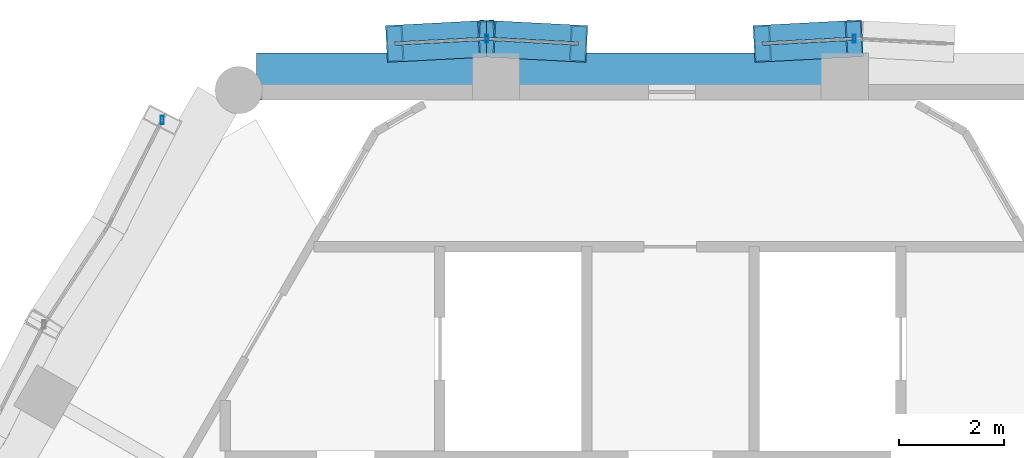
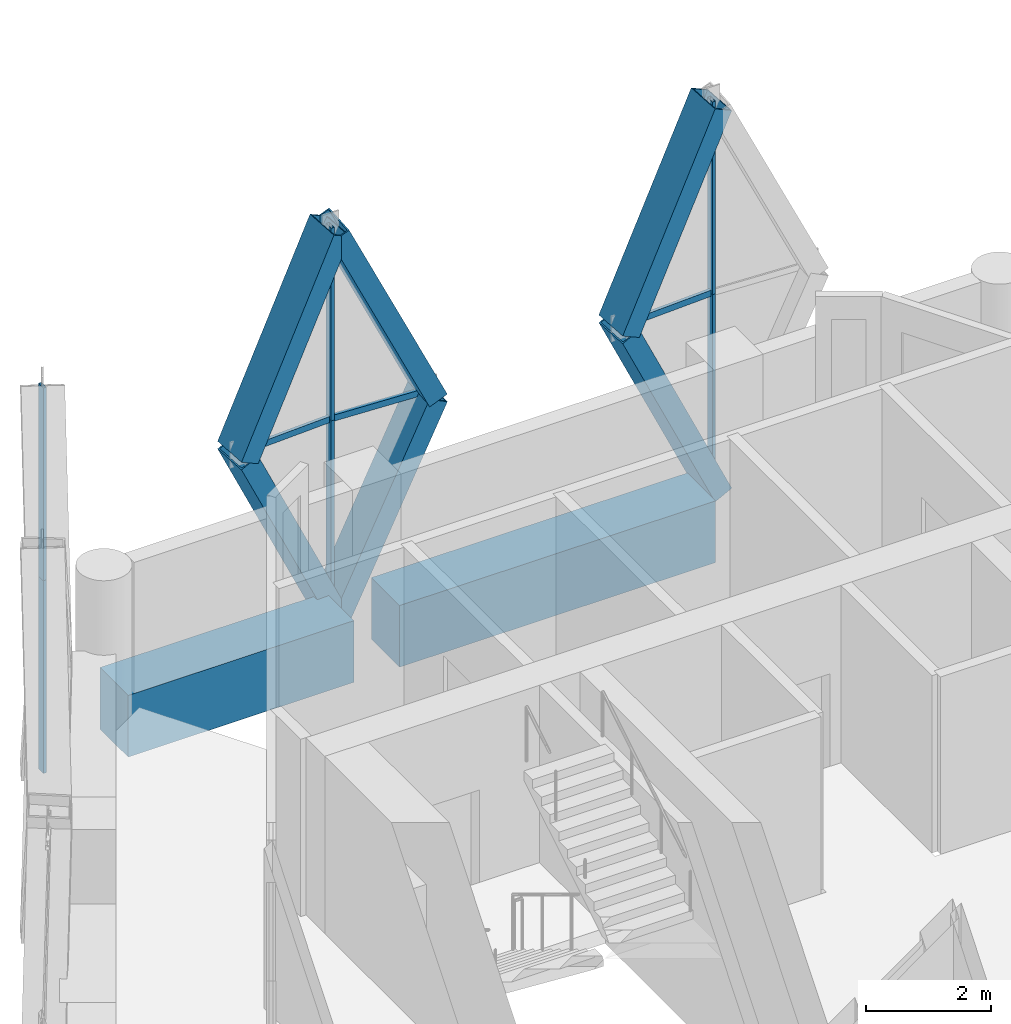
# One storey, part 14 of 27: 15 members, 2 beams, 3 elements without a shape of their own.
"""IFC4 building model written with IfcOpenShell, lengths in metres."""

from ifc_helpers import new_model, si_unit, direction, frame, origin, origin_2d, place, context, subcontext, project, spatial, rectangle, hollow_rectangle, extrude, material, material_profile, profile_set, type_object, element, aggregate, save


model = new_model("IFC4")

# Units and contexts
model_context = context("Model", 3, precision=1e-05, world=origin(), true_north=direction((0.0, 1.0)))
body_context = subcontext(model_context, "Body", "Model", "MODEL_VIEW")
ifc_project = project(units=[si_unit("LENGTHUNIT", "METRE"), si_unit("AREAUNIT", "SQUARE_METRE"), si_unit("VOLUMEUNIT", "CUBIC_METRE"), si_unit("PLANEANGLEUNIT", "RADIAN"), si_unit("MASSUNIT", "GRAM", prefix="KILO")], contexts=[model_context])

# Site, building, storey
site_placement = place(None, origin())
site = spatial("IfcSite", under=ifc_project, at=site_placement, CompositionType="ELEMENT")
building_placement = place(site_placement, origin())
building = spatial("IfcBuilding", under=site, at=building_placement, Name="Ostrander Bayou Hotel Tower", CompositionType="ELEMENT")
storey_placement = place(building_placement, frame((0.0, 0.0, 267.5)))
storey = spatial("IfcBuildingStorey", under=building, at=storey_placement, Name="L66", CompositionType="ELEMENT", Elevation=267.5)

# Curtain wall, members
ifc_material_1 = material(Name="Aluminium and clear glass", Category="aluminium")
curtain_wall_type = type_object("IfcCurtainWallType", Name="CW-LAT lattice glazing", PredefinedType="NOTDEFINED", material=ifc_material_1)
curtain_wall_1_placement = place(storey_placement, origin())
curtain_wall_1 = element("IfcCurtainWall", 1, at=curtain_wall_1_placement, inside=storey, type_object=curtain_wall_type, Name="CW-LAT L66 N 1", PredefinedType="NOTDEFINED")
ifc_material_2 = material(Name="Aluminium", Category="aluminium")
ifc_material_profile_1 = material_profile(ifc_material_2, hollow_rectangle(XDim=0.06005859375, YDim=0.159912109375, WallThickness=0.00390625, at=origin_2d()))
ifc_profile_set_1 = profile_set([ifc_material_profile_1], Name="Aluminium")
member_type_1 = type_object("IfcMemberType", Name="CW-LA mullion 60 x 160 mm", PredefinedType="MULLION", material=ifc_profile_set_1)
member_1_placement = place(storey_placement, frame((3.508544921875, 17.570068359375, -0.60009765625), z_axis=(0.0, 0.0, 1.0), x_axis=(1.0, 0.0, 0.0)))
member_1 = element("IfcMember", 2, at=member_1_placement, type_object=member_type_1, Name="CW-LAT mullion 1", PredefinedType="MULLION", context=body_context, shape_type="SweptSolid", body=[
    extrude(hollow_rectangle(XDim=0.06005859375, YDim=0.159912109375, WallThickness=0.00390625, at=origin_2d()), origin(), (0.0, 0.0, 1.0), 3.75),
])
member_2_placement = place(storey_placement, frame((3.508544921875, 17.570068359375, 3.14990234375), z_axis=(0.0, 0.0, 1.0), x_axis=(1.0, 0.0, 0.0)))
member_2 = element("IfcMember", 3, at=member_2_placement, type_object=member_type_1, Name="CW-LAT mullion 2", PredefinedType="MULLION", context=body_context, shape_type="SweptSolid", body=[
    extrude(hollow_rectangle(XDim=0.06005859375, YDim=0.159912109375, WallThickness=0.00390625, at=origin_2d()), origin(), (0.0, 0.0, 1.0), 3.75),
])
member_3_placement = place(storey_placement, frame((-3.508544921875, 17.570068359375, -0.60009765625), z_axis=(0.0, 0.0, 1.0), x_axis=(1.0, 0.0, 0.0)))
member_3 = element("IfcMember", 4, at=member_3_placement, type_object=member_type_1, Name="CW-LAT mullion 5", PredefinedType="MULLION", context=body_context, shape_type="SweptSolid", body=[
    extrude(hollow_rectangle(XDim=0.06005859375, YDim=0.159912109375, WallThickness=0.00390625, at=origin_2d()), origin(), (0.0, 0.0, 1.0), 3.75),
])
member_4_placement = place(storey_placement, frame((-3.508544921875, 17.570068359375, 3.14990234375), z_axis=(0.0, 0.0, 1.0), x_axis=(1.0, 0.0, 0.0)))
member_4 = element("IfcMember", 5, at=member_4_placement, type_object=member_type_1, Name="CW-LAT mullion 6", PredefinedType="MULLION", context=body_context, shape_type="SweptSolid", body=[
    extrude(hollow_rectangle(XDim=0.06005859375, YDim=0.159912109375, WallThickness=0.00390625, at=origin_2d()), origin(), (0.0, 0.0, 1.0), 3.75),
])
aggregate(curtain_wall_1, [member_1, member_2, member_3, member_4])

curtain_wall_2_placement = place(storey_placement, origin())
curtain_wall_2 = element("IfcCurtainWall", 6, at=curtain_wall_2_placement, inside=storey, type_object=curtain_wall_type, Name="CW-LAT L66 NW 1", PredefinedType="NOTDEFINED")
member_5_placement = place(storey_placement, frame((-9.704345703125, 16.0185546875, -0.60009765625), z_axis=(0.0, 0.0, 1.0), x_axis=(1.0, 0.0, 0.0)))
member_5 = element("IfcMember", 7, at=member_5_placement, type_object=member_type_1, Name="CW-LAT mullion 1", PredefinedType="MULLION", context=body_context, shape_type="SweptSolid", body=[
    extrude(hollow_rectangle(XDim=0.06005859375, YDim=0.159912109375, WallThickness=0.00390625, at=origin_2d()), origin(), (0.0, 0.0, 1.0), 3.75),
])
member_6_placement = place(storey_placement, frame((-9.704345703125, 16.0185546875, 3.14990234375), z_axis=(0.0, 0.0, 1.0), x_axis=(1.0, 0.0, 0.0)))
member_6 = element("IfcMember", 8, at=member_6_placement, type_object=member_type_1, Name="CW-LAT mullion 2", PredefinedType="MULLION", context=body_context, shape_type="SweptSolid", body=[
    extrude(hollow_rectangle(XDim=0.06005859375, YDim=0.159912109375, WallThickness=0.00390625, at=origin_2d()), origin(), (0.0, 0.0, 1.0), 3.75),
])
aggregate(curtain_wall_2, [member_5, member_6])

curtain_wall_3_placement = place(storey_placement, origin())
curtain_wall_3 = element("IfcCurtainWall", 9, at=curtain_wall_3_placement, inside=storey, type_object=curtain_wall_type, Name="CW-LAT L66 N 2", PredefinedType="NOTDEFINED")
ifc_material_3 = material(Name="Aluminium", Category="aluminium")
ifc_material_profile_2 = material_profile(ifc_material_3, hollow_rectangle(XDim=0.06005859375, YDim=0.1201171875, WallThickness=0.00390625, at=origin_2d()))
ifc_profile_set_2 = profile_set([ifc_material_profile_2], Name="Aluminium")
member_type_2 = type_object("IfcMemberType", Name="CW-LA transom 60 x 120 mm", PredefinedType="USERDEFINED", material=ifc_profile_set_2)
member_7_placement = place(storey_placement, frame((3.508544921875, 17.570068359375, 3.14990234375), z_axis=(-0.9986262632, -0.052398343942, 0.0), x_axis=(0.052398343942, -0.9986262632, 0.0)))
member_7 = element("IfcMember", 10, at=member_7_placement, type_object=member_type_2, Name="CW-LAT transom 4", ObjectType="TRANSOM", PredefinedType="USERDEFINED", context=body_context, shape_type="SweptSolid", body=[
    extrude(hollow_rectangle(XDim=0.06005859375, YDim=0.1201171875, WallThickness=0.00390625, at=origin_2d()), origin(), (0.0, 0.0, 1.0), 1.756591796875),
])
member_8_placement = place(storey_placement, frame((-3.508544921875, 17.570068359375, 3.14990234375), z_axis=(0.9986262632, -0.052398343942, 0.0), x_axis=(0.052398343942, 0.9986262632, 0.0)))
member_8 = element("IfcMember", 11, at=member_8_placement, type_object=member_type_2, Name="CW-LAT transom 7", ObjectType="TRANSOM", PredefinedType="USERDEFINED", context=body_context, shape_type="SweptSolid", body=[
    extrude(hollow_rectangle(XDim=0.06005859375, YDim=0.1201171875, WallThickness=0.00390625, at=origin_2d()), origin(), (0.0, 0.0, 1.0), 1.756591796875),
])
member_9_placement = place(storey_placement, frame((-3.508544921875, 17.570068359375, 3.14990234375), z_axis=(-0.998626644723, -0.052391072232, 0.0), x_axis=(0.052391072232, -0.998626644723, 0.0)))
member_9 = element("IfcMember", 12, at=member_9_placement, type_object=member_type_2, Name="CW-LAT transom 8", ObjectType="TRANSOM", PredefinedType="USERDEFINED", context=body_context, shape_type="SweptSolid", body=[
    extrude(hollow_rectangle(XDim=0.06005859375, YDim=0.1201171875, WallThickness=0.00390625, at=origin_2d()), origin(), (0.0, 0.0, 1.0), 1.7568359375),
])
aggregate(curtain_wall_3, [member_7, member_8, member_9])

# Members
ifc_material_4 = material(Name="Steel ASTM A572 Gr 50", Category="steel")
ifc_material_profile_3 = material_profile(ifc_material_4, hollow_rectangle(XDim=0.699951171875, YDim=0.35009765625, WallThickness=0.02490234375, at=origin_2d()))
ifc_profile_set_3 = profile_set([ifc_material_profile_3], Name="Steel ASTM A572 Gr 50")
member_type_3 = type_object("IfcMemberType", Name="LT1 lattice member box 700 x 350 x 25 mm", PredefinedType="BRACE", material=ifc_profile_set_3)
for number, where, z_axis, x_axis, name in (
    (13, (1.75439453125, 17.47802734375, 3.14990234375), (0.423603846808, 0.02222667366, -0.905574820734), (-0.052398343942, 0.9986262632, 0.0), "LT1 L66 N 3"),
    (14, (1.75439453125, 17.47802734375, 3.14990234375), (0.423603846808, 0.02222667366, 0.905574820734), (-0.052398343942, 0.9986262632, 0.0), "LT1 L66 N 4"),
    (15, (-1.75439453125, 17.47802734375, 3.14990234375), (-0.423603846808, 0.02222667366, -0.905574820734), (-0.052398343942, -0.9986262632, 0.0), "LT1 L66 N 5"),
    (16, (-1.75439453125, 17.47802734375, 3.14990234375), (-0.423603846808, 0.02222667366, 0.905574820734), (-0.052398343942, -0.9986262632, 0.0), "LT1 L66 N 6"),
    (17, (-5.262939453125, 17.47802734375, 3.14990234375), (0.423652222488, 0.022226118547, -0.905552203926), (-0.052391072232, 0.998626644723, 0.0), "LT1 L66 N 7"),
    (18, (-5.262939453125, 17.47802734375, 3.14990234375), (0.423652222488, 0.022226118547, 0.905552203926), (-0.052391072232, 0.998626644723, 0.0), "LT1 L66 N 8"),
):
    element("IfcMember", number, at=place(storey_placement, frame(where, z_axis=z_axis, x_axis=x_axis)), inside=storey, type_object=member_type_3, Name=name, PredefinedType="BRACE", context=body_context, shape_type="SweptSolid", body=[
        extrude(hollow_rectangle(XDim=0.699951171875, YDim=0.35009765625, WallThickness=0.02490234375, at=origin_2d()), origin(), (0.0, 0.0, 1.0), 4.14111328125),
    ])

# Beams
ifc_material_5 = material(Name="Concrete f'c 60 MPa", Category="concrete")
ifc_material_profile_4 = material_profile(ifc_material_5, rectangle(XDim=0.89990234375, YDim=1.199951171875, at=origin_2d()))
ifc_profile_set_4 = profile_set([ifc_material_profile_4], Name="Concrete f'c 60 MPa")
beam_type = type_object("IfcBeamType", Name="SP4 spandrel beam 900 x 1200 mm f'c 60 MPa", PredefinedType="SPANDREL", material=ifc_profile_set_4)
beam_1_placement = place(storey_placement, frame((2.909423828125, 16.85009765625, -0.60009765625), z_axis=(-1.0, 0.0, 0.0), x_axis=(0.0, -1.0, 0.0)))
element("IfcBeam", 19, at=beam_1_placement, inside=storey, type_object=beam_type, Name="SP4 L66 N-2", PredefinedType="SPANDREL", context=body_context, shape_type="SweptSolid", body=[
    extrude(rectangle(XDim=0.89990234375, YDim=1.199951171875, at=origin_2d()), origin(), (0.0, 0.0, 1.0), 5.81884765625),
])
beam_2_placement = place(storey_placement, frame((-3.74951171875, 16.85009765625, -0.60009765625), z_axis=(-1.0, 0.0, 0.0), x_axis=(0.0, -1.0, 0.0)))
element("IfcBeam", 20, at=beam_2_placement, inside=storey, type_object=beam_type, Name="SP4 L66 N-3", PredefinedType="SPANDREL", context=body_context, shape_type="SweptSolid", body=[
    extrude(rectangle(XDim=0.89990234375, YDim=1.199951171875, at=origin_2d()), origin(), (0.0, 0.0, 1.0), 4.15625),
])

save(model, "model.ifc")
